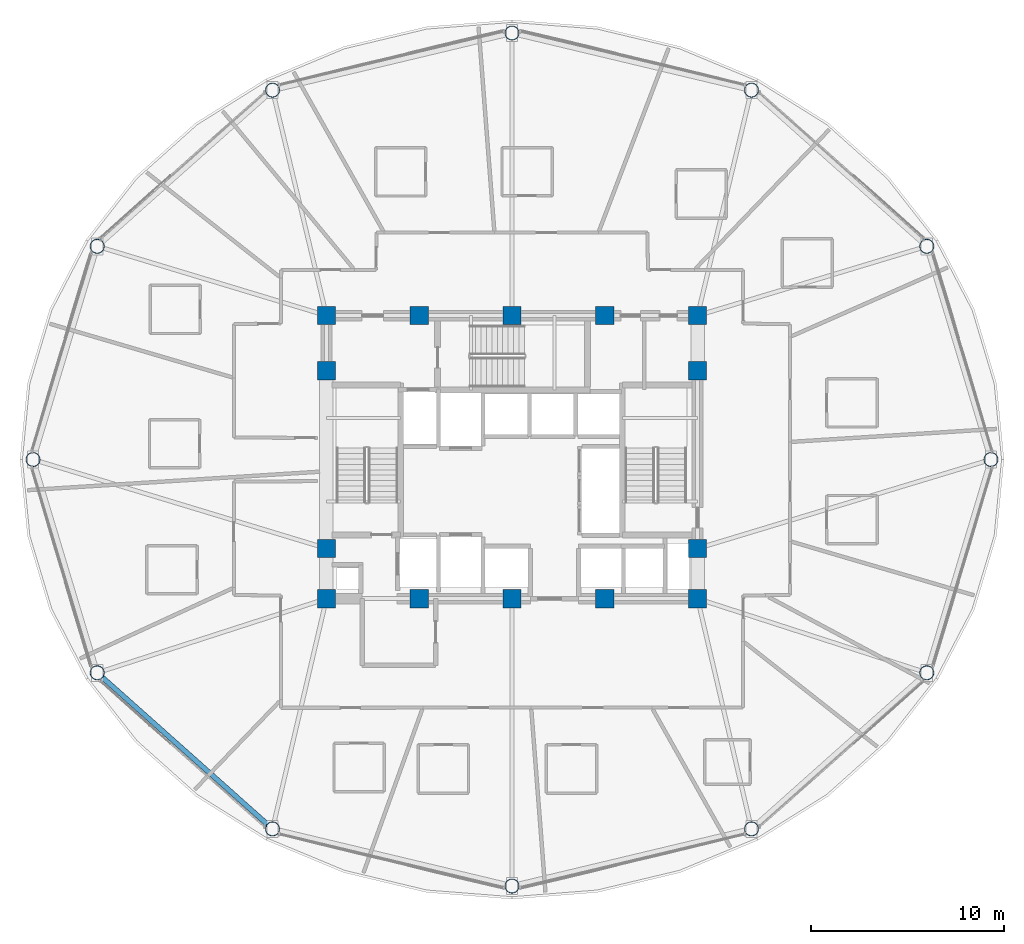
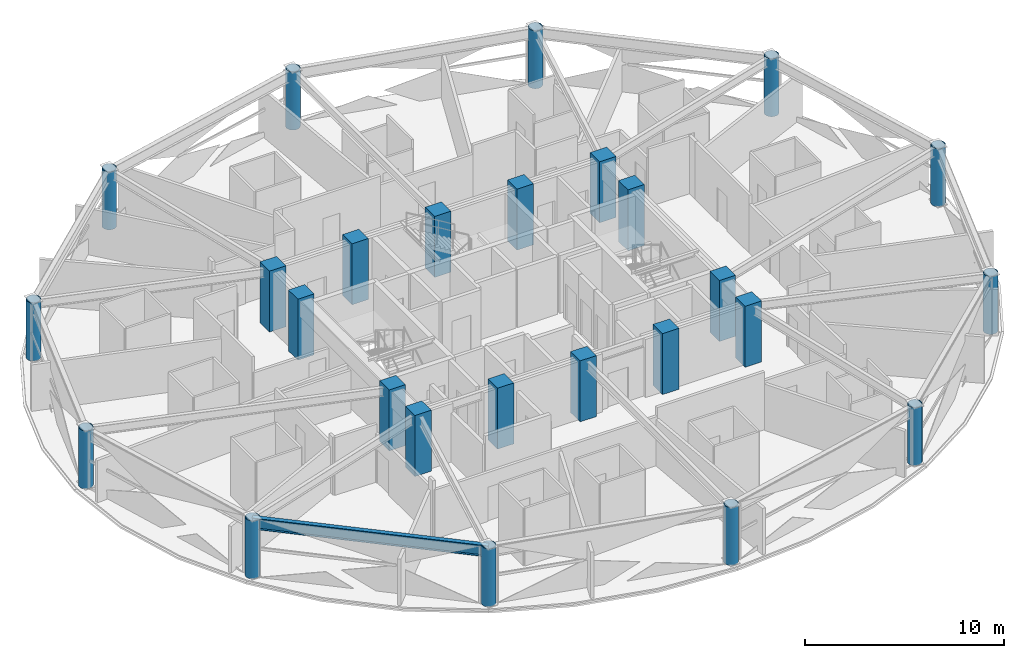
# One storey, part 1 of 30: 26 columns, 1 beam.
"""IFC4 building model written with IfcOpenShell, lengths in metres."""

import ifcopenshell
import ifcopenshell.guid

model = None  # the IFC model being written
_history = None  # IfcOwnerHistory: only IFC2X3 demands one
_inside = {}  # id of a spatial element -> (the spatial element, [elements in it])
_under = {}  # id of a project, library or spatial element -> (it, [spatial elements below it])
_declared = {}  # id of a project -> (the project, [libraries it declares])
_typed = {}  # id of a type object -> (the type object, [elements of that type])
_made_of = {}  # id of a material, layer set ... -> (it, [elements and type objects made of it])


def new_model(schema):
    """Start an empty IFC model of exactly this schema.

    Asked for "IFC4X3", IfcOpenShell would pick the latest addendum, in which some entities
    have other attributes; the version numbers below select the first issue.
    IFC2X3 requires an IfcOwnerHistory on every rooted entity: one is made here for all.
    """
    global model, _history
    if schema == "IFC4X3":
        model = ifcopenshell.file(schema_version=(4, 3, 0, 0))
    else:
        model = ifcopenshell.file(schema=schema)
    _inside.clear()
    _under.clear()
    _declared.clear()
    _typed.clear()
    _made_of.clear()
    _history = None
    if model.schema == "IFC2X3":
        org = make("IfcOrganization", Name="unknown")
        user = make(
            "IfcPersonAndOrganization",
            ThePerson=make("IfcPerson", FamilyName="unknown"),
            TheOrganization=org,
        )
        app = make(
            "IfcApplication",
            ApplicationDeveloper=org,
            Version="unknown",
            ApplicationFullName="unknown",
            ApplicationIdentifier="unknown",
        )
        _history = make(
            "IfcOwnerHistory",
            OwningUser=user,
            OwningApplication=app,
            ChangeAction="ADDED",
            CreationDate=0,
        )
    return model


def make(cls, **values):
    """One entity of the class cls with the attributes given. An attribute that is None is left unset."""
    return model.create_entity(
        cls, **{name: value for name, value in values.items() if value is not None}
    )


def rooted(cls, **values):
    """An entity with a GlobalId (a new one), such as an element, a storey or a relation."""
    return make(cls, GlobalId=ifcopenshell.guid.new(), OwnerHistory=_history, **values)


def si_unit(unit_type, name, prefix=None):
    """IfcSIUnit, for example si_unit("LENGTHUNIT", "METRE", prefix="MILLI")."""
    return make("IfcSIUnit", UnitType=unit_type, Prefix=prefix, Name=name)


def assignment(units):
    """IfcUnitAssignment: the units of a project."""
    return None if units is None else make("IfcUnitAssignment", Units=units)


def point(xyz):
    """IfcCartesianPoint."""
    return None if xyz is None else make("IfcCartesianPoint", Coordinates=xyz)


def direction(xyz):
    """IfcDirection."""
    return None if xyz is None else make("IfcDirection", DirectionRatios=xyz)


def frame(location, z_axis=None, x_axis=None):
    """IfcAxis2Placement3D, a coordinate frame: its origin and axes. An axis left out is left unset."""
    return make(
        "IfcAxis2Placement3D",
        Location=point(location),
        Axis=direction(z_axis),
        RefDirection=direction(x_axis),
    )


def frame_2d(location, x_axis=None):
    """IfcAxis2Placement2D, a coordinate frame in the plane: its origin and x axis."""
    return make(
        "IfcAxis2Placement2D", Location=point(location), RefDirection=direction(x_axis)
    )


def origin():
    """The frame at (0, 0, 0) with its axes left unset."""
    return frame((0.0, 0.0, 0.0))


def origin_2d():
    """The frame at (0, 0) in the plane with its x axis left unset."""
    return frame_2d((0.0, 0.0))


def place(relative_to, where):
    """IfcLocalPlacement: puts the frame where relative to a parent placement (None: the world)."""
    return make(
        "IfcLocalPlacement", PlacementRelTo=relative_to, RelativePlacement=where
    )


def context(
    kind, dimensions, precision=None, world=None, true_north=None, identifier=None
):
    """IfcGeometricRepresentationContext, for example the 3D "Model" context."""
    return make(
        "IfcGeometricRepresentationContext",
        ContextIdentifier=identifier,
        ContextType=kind,
        CoordinateSpaceDimension=dimensions,
        Precision=precision,
        WorldCoordinateSystem=world,
        TrueNorth=true_north,
    )


def subcontext(parent, identifier, kind, view, scale=None):
    """IfcGeometricRepresentationSubContext, for example "Body" below "Model"."""
    return make(
        "IfcGeometricRepresentationSubContext",
        ContextIdentifier=identifier,
        ContextType=kind,
        ParentContext=parent,
        TargetScale=scale,
        TargetView=view,
    )


def project(units=None, contexts=None):
    """IfcProject with its units and contexts."""
    return rooted(
        "IfcProject",
        Name="project",
        RepresentationContexts=contexts,
        UnitsInContext=assignment(units),
    )


def spatial(cls, under=None, at=None, **own):
    """A site, building, storey or space (cls), placed at a placement, below another one or the project."""
    s = rooted(cls, ObjectPlacement=at, **own)
    if under is not None:
        _under.setdefault(under.id(), (under, []))[1].append(s)
    return s


def profile(cls, at=None, kind="AREA", **sizes):
    """A parametric profile (cls). Its sizes go by their IFC names, for example OverallWidth=200.0."""
    return make(cls, ProfileType=kind, Position=at, **sizes)


def rectangle(**sizes):
    """IfcRectangleProfileDef."""
    return profile("IfcRectangleProfileDef", **sizes)


def hollow_circle(**sizes):
    """IfcCircleHollowProfileDef."""
    return profile("IfcCircleHollowProfileDef", **sizes)


def i_section(**sizes):
    """IfcIShapeProfileDef."""
    return profile("IfcIShapeProfileDef", **sizes)


def extrude(swept, where, along, depth):
    """IfcExtrudedAreaSolid: the profile swept, set in the frame where, extruded along a direction by depth."""
    return make(
        "IfcExtrudedAreaSolid",
        SweptArea=swept,
        Position=where,
        ExtrudedDirection=direction(along),
        Depth=depth,
    )


def shape(context_of_items, identifier, shape_type, items):
    """IfcShapeRepresentation: the items that make up one representation, for example the "Body"."""
    return make(
        "IfcShapeRepresentation",
        ContextOfItems=context_of_items,
        RepresentationIdentifier=identifier,
        RepresentationType=shape_type,
        Items=items,
    )


def material(Name=None, Category=None):
    """IfcMaterial."""
    return make("IfcMaterial", Name=Name, Category=Category)


def material_profile(
    of_material, cross_section, Name=None, Category=None, Priority=None
):
    """IfcMaterialProfile: a cross section and its material."""
    return make(
        "IfcMaterialProfile",
        Name=Name,
        Material=of_material,
        Profile=cross_section,
        Priority=Priority,
        Category=Category,
    )


def profile_set(profiles, Name=None, composite=None):
    """IfcMaterialProfileSet."""
    return make(
        "IfcMaterialProfileSet",
        Name=Name,
        MaterialProfiles=profiles,
        CompositeProfile=composite,
    )


def made_of(thing, what):
    """Note that an element or type object is made of a material, layer set ...; save() writes the relation."""
    if what is not None:
        _made_of.setdefault(what.id(), (what, []))[1].append(thing)
    return thing


def type_object(cls, material=None, **own):
    """A type object (cls), such as IfcWallType, which elements share."""
    return made_of(rooted(cls, **own), material)


def element(
    cls,
    number,
    at=None,
    inside=None,
    cuts=None,
    type_object=None,
    material=None,
    context=None,
    identifier="Body",
    shape_type=None,
    held_by="IfcProductDefinitionShape",
    body=None,
    shapes=None,
    **own,
):
    """One element of the class cls, such as IfcWall. Its Tag is "e" and its number.

    at: its placement. inside: the storey or other place that contains it. cuts: it is an
    opening in that element (IfcRelVoidsElement). A single representation is given by context,
    identifier, shape_type and body (its items); several are given by shapes. held_by: the class
    of the entity that holds the representations. save() writes the other relations.
    """
    e = rooted(cls, Tag="e%d" % number, ObjectPlacement=at, **own)
    if body is not None:
        shapes = [shape(context, identifier, shape_type, body)]
    if shapes is not None:
        e.Representation = make(held_by, Representations=shapes)
    if inside is not None:
        _inside.setdefault(inside.id(), (inside, []))[1].append(e)
    if cuts is not None:
        rooted(
            "IfcRelVoidsElement", RelatingBuildingElement=cuts, RelatedOpeningElement=e
        )
    if type_object is not None:
        _typed.setdefault(type_object.id(), (type_object, []))[1].append(e)
    return made_of(e, material)


def aggregate(whole, parts):
    """IfcRelAggregates: a whole, such as a stair, and the parts it consists of."""
    return rooted("IfcRelAggregates", RelatingObject=whole, RelatedObjects=parts)


def save(model, path):
    """Write the relations noted so far, then the file.

    IfcRelAggregates (storeys below a building ...), IfcRelContainedInSpatialStructure (elements
    in a storey), IfcRelDefinesByType, IfcRelAssociatesMaterial and IfcRelDeclares: one each for
    every whole, place, type object, material and project.
    """
    for whole, parts in _under.values():
        aggregate(whole, parts)
    for where, things in _inside.values():
        rooted(
            "IfcRelContainedInSpatialStructure",
            RelatedElements=things,
            RelatingStructure=where,
        )
    for kind, things in _typed.values():
        rooted("IfcRelDefinesByType", RelatedObjects=things, RelatingType=kind)
    for what, things in _made_of.values():
        rooted("IfcRelAssociatesMaterial", RelatedObjects=things, RelatingMaterial=what)
    for by, libraries in _declared.values():
        rooted("IfcRelDeclares", RelatingContext=by, RelatedDefinitions=libraries)
    model.write(path)


model = new_model("IFC4")

# Units and contexts
model_context = context("Model", 3, precision=1e-05, world=origin(), true_north=direction((0.0, 1.0)))
body_context = subcontext(model_context, "Body", "Model", "MODEL_VIEW")
ifc_project = project(units=[si_unit("LENGTHUNIT", "METRE"), si_unit("AREAUNIT", "SQUARE_METRE"), si_unit("VOLUMEUNIT", "CUBIC_METRE"), si_unit("PLANEANGLEUNIT", "RADIAN"), si_unit("MASSUNIT", "GRAM", prefix="KILO")], contexts=[model_context])

# Site, building, storey
site_placement = place(None, origin())
site = spatial("IfcSite", under=ifc_project, at=site_placement, CompositionType="ELEMENT")
building_placement = place(site_placement, origin())
building = spatial("IfcBuilding", under=site, at=building_placement, Name="Vantalir Tower", CompositionType="ELEMENT")
storey_placement = place(building_placement, frame((0.0, 0.0, 153.449951171875)))
storey = spatial("IfcBuildingStorey", under=building, at=storey_placement, Name="L38", CompositionType="ELEMENT", Elevation=153.449951171875)

# Columns
ifc_material_1 = material(Name="Concrete C60/75", Category="concrete")
ifc_material_profile_1 = material_profile(ifc_material_1, rectangle(XDim=0.949951171875, YDim=0.949951171875, at=origin_2d()), Name="Concrete C60/75")
ifc_profile_set_1 = profile_set([ifc_material_profile_1], Name="Concrete C60/75")
column_type_1 = type_object("IfcColumnType", Name="COL-CC-950", PredefinedType="COLUMN", material=ifc_profile_set_1)
for number, where, z_axis, x_axis, name in (
    (1, (21.89990234375, 17.800048828125, 0.0), (0.0, 0.0, 1.0), (1.0, 0.0, 0.0), "L38 Core Column CC01"),
    (2, (26.699951171875, 17.800048828125, 0.0), (0.0, 0.0, 1.0), (1.0, 0.0, 0.0), "L38 Core Column CC02"),
    (3, (31.5, 17.800048828125, 0.0), (0.0, 0.0, 1.0), (1.0, 0.0, 0.0), "L38 Core Column CC03"),
    (4, (36.300048828125, 17.800048828125, 0.0), (0.0, 0.0, 1.0), (1.0, 0.0, 0.0), "L38 Core Column CC04"),
    (5, (41.10009765625, 17.800048828125, 0.0), (0.0, 0.0, 1.0), (1.0, 0.0, 0.0), "L38 Core Column CC05"),
    (6, (21.89990234375, 20.39990234375, 0.0), (0.0, 0.0, 1.0), (1.0, 0.0, 0.0), "L38 Core Column CC06"),
    (7, (21.89990234375, 29.60009765625, 0.0), (0.0, 0.0, 1.0), (1.0, 0.0, 0.0), "L38 Core Column CC07"),
    (8, (41.10009765625, 20.39990234375, 0.0), (0.0, 0.0, 1.0), (1.0, 0.0, 0.0), "L38 Core Column CC08"),
    (9, (41.10009765625, 29.60009765625, 0.0), (0.0, 0.0, 1.0), (1.0, 0.0, 0.0), "L38 Core Column CC09"),
    (10, (21.89990234375, 32.449951171875, 0.0), (0.0, 0.0, 1.0), (1.0, 0.0, 0.0), "L38 Core Column CC10"),
    (11, (26.699951171875, 32.449951171875, 0.0), (0.0, 0.0, 1.0), (1.0, 0.0, 0.0), "L38 Core Column CC11"),
    (12, (31.5, 32.449951171875, 0.0), (0.0, 0.0, 1.0), (1.0, 0.0, 0.0), "L38 Core Column CC12"),
    (13, (36.300048828125, 32.449951171875, 0.0), (0.0, 0.0, 1.0), (1.0, 0.0, 0.0), "L38 Core Column CC13"),
    (14, (41.10009765625, 32.449951171875, 0.0), (0.0, 0.0, 1.0), (1.0, 0.0, 0.0), "L38 Core Column CC14"),
):
    element("IfcColumn", number, at=place(storey_placement, frame(where, z_axis=z_axis, x_axis=x_axis)), inside=storey, type_object=column_type_1, Name=name, PredefinedType="COLUMN", context=body_context, shape_type="SweptSolid", body=[
        extrude(rectangle(XDim=0.949951171875, YDim=0.949951171875, at=origin_2d()), origin(), (0.0, 0.0, 1.0), 3.75),
    ])
ifc_material_2 = material(Name="Steel S460", Category="steel")
ifc_material_profile_2 = material_profile(ifc_material_2, hollow_circle(Radius=0.375, WallThickness=0.034912109375, at=origin_2d()), Name="Steel S460")
ifc_profile_set_2 = profile_set([ifc_material_profile_2], Name="Steel S460")
column_type_2 = type_object("IfcColumnType", Name="COL-RC-750", PredefinedType="COLUMN", material=ifc_profile_set_2)
for number, where, z_axis, x_axis, name in (
    (15, (56.282958984375, 25.0, 0.0), (0.0, 0.0, 1.0), (1.0, 0.0, 0.0), "L38 Perimeter Ring Column RC01"),
    (16, (52.962890625, 36.033935546875, 0.0), (0.0, 0.0, 1.0), (1.0, 0.0, 0.0), "L38 Perimeter Ring Column RC02"),
    (17, (43.89208984375, 44.112060546875, 0.0), (0.0, 0.0, 1.0), (1.0, 0.0, 0.0), "L38 Perimeter Ring Column RC03"),
    (18, (31.5, 47.069091796875, 0.0), (0.0, 0.0, 1.0), (1.0, 0.0, 0.0), "L38 Perimeter Ring Column RC04"),
    (19, (19.10888671875, 44.112060546875, 0.0), (0.0, 0.0, 1.0), (1.0, 0.0, 0.0), "L38 Perimeter Ring Column RC05"),
    (20, (10.037109375, 36.033935546875, 0.0), (0.0, 0.0, 1.0), (1.0, 0.0, 0.0), "L38 Perimeter Ring Column RC06"),
    (21, (6.717041015625, 25.0, 0.0), (0.0, 0.0, 1.0), (1.0, 0.0, 0.0), "L38 Perimeter Ring Column RC07"),
    (22, (10.037109375, 13.965087890625, 0.0), (0.0, 0.0, 1.0), (1.0, 0.0, 0.0), "L38 Perimeter Ring Column RC08"),
    (23, (19.10791015625, 5.887939453125, 0.0), (0.0, 0.0, 1.0), (1.0, 0.0, 0.0), "L38 Perimeter Ring Column RC09"),
    (24, (31.5, 2.930908203125, 0.0), (0.0, 0.0, 1.0), (1.0, 0.0, 0.0), "L38 Perimeter Ring Column RC10"),
    (25, (43.89208984375, 5.887939453125, 0.0), (0.0, 0.0, 1.0), (1.0, 0.0, 0.0), "L38 Perimeter Ring Column RC11"),
    (26, (52.962890625, 13.965087890625, 0.0), (0.0, 0.0, 1.0), (1.0, 0.0, 0.0), "L38 Perimeter Ring Column RC12"),
):
    element("IfcColumn", number, at=place(storey_placement, frame(where, z_axis=z_axis, x_axis=x_axis)), inside=storey, type_object=column_type_2, Name=name, PredefinedType="COLUMN", context=body_context, shape_type="SweptSolid", body=[
        extrude(hollow_circle(Radius=0.375, WallThickness=0.034912109375, at=origin_2d()), origin(), (0.0, 0.0, 1.0), 3.570068359375),
    ])

# Beam
ifc_material_profile_3 = material_profile(ifc_material_2, i_section(OverallWidth=0.256103515625, OverallDepth=0.693115234375, WebThickness=0.014404296875, FlangeThickness=0.023681640625, at=origin_2d()), Name="Steel S460")
ifc_profile_set_3 = profile_set([ifc_material_profile_3], Name="Steel S460")
beam_type = type_object("IfcBeamType", Name="BM-RG-686x254", PredefinedType="USERDEFINED", material=ifc_profile_set_3)
beam_placement = place(storey_placement, frame((10.037109375, 13.965087890625, 3.22412109375), z_axis=(0.746827909531, -0.665017348305, 0.0), x_axis=(0.665017348305, 0.746827909531, 0.0)))
element("IfcBeam", 27, at=beam_placement, inside=storey, type_object=beam_type, Name="L38 Circumferential Ring Girder 08", ObjectType="GIRDER", PredefinedType="USERDEFINED", context=body_context, shape_type="SweptSolid", body=[
    extrude(i_section(OverallWidth=0.256103515625, OverallDepth=0.693115234375, WebThickness=0.014404296875, FlangeThickness=0.023681640625, at=origin_2d()), origin(), (0.0, 0.0, 1.0), 12.145751953125),
])

save(model, "model.ifc")
